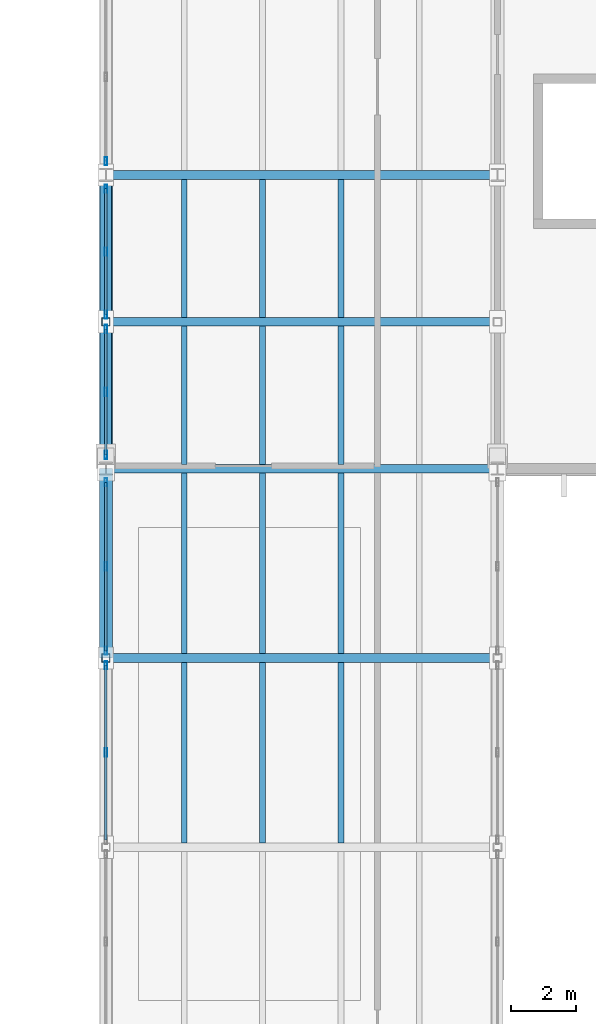
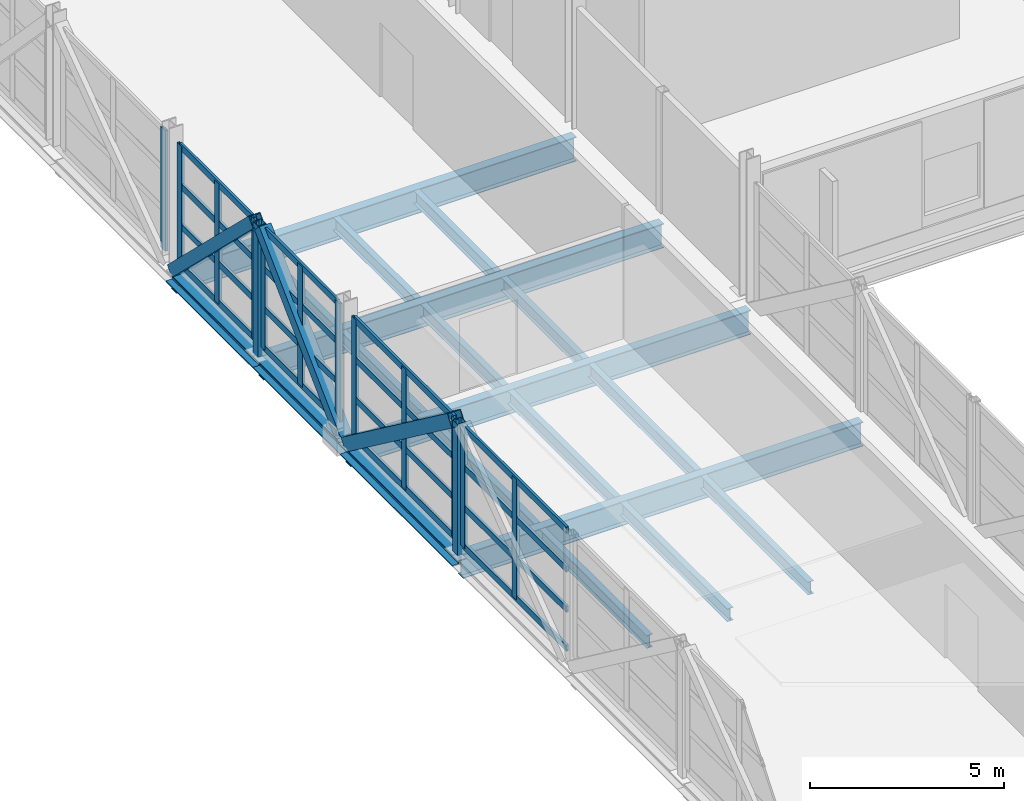
# One storey, part 24 of 63: 33 members, 19 beams, 5 elements without a shape of their own.
"""IFC4 building model written with IfcOpenShell, lengths in metres."""

from ifc_helpers import new_model, si_unit, direction, frame, origin, origin_2d, place, context, subcontext, project, spatial, hollow_rectangle, i_section, extrude, material, material_profile, profile_set, type_object, element, aggregate, save


model = new_model("IFC4")

# Units and contexts
model_context = context("Model", 3, precision=1e-05, world=origin(), true_north=direction((0.0, 1.0)))
body_context = subcontext(model_context, "Body", "Model", "MODEL_VIEW")
ifc_project = project(units=[si_unit("LENGTHUNIT", "METRE"), si_unit("AREAUNIT", "SQUARE_METRE"), si_unit("VOLUMEUNIT", "CUBIC_METRE"), si_unit("PLANEANGLEUNIT", "RADIAN"), si_unit("MASSUNIT", "GRAM", prefix="KILO")], contexts=[model_context])

# Site, building, storey
site_placement = place(None, origin())
site = spatial("IfcSite", under=ifc_project, at=site_placement, CompositionType="ELEMENT")
building_placement = place(site_placement, origin())
building = spatial("IfcBuilding", under=site, at=building_placement, Name="Kelmvaro Bay Concert Hall", CompositionType="ELEMENT")
storey_placement = place(building_placement, frame((0.0, 0.0, 13.800048828125)))
storey = spatial("IfcBuildingStorey", under=building, at=storey_placement, Name="L03", CompositionType="ELEMENT", Elevation=13.800048828125)

# Beams
ifc_material_1 = material(Name="Steel ASTM A992 Grade 50", Category="steel")
ifc_material_profile_1 = material_profile(ifc_material_1, i_section(OverallWidth=0.177978515625, OverallDepth=0.406005859375, WebThickness=0.0078125, FlangeThickness=0.0126953125, at=origin_2d()), Name="W16X40")
ifc_profile_set_1 = profile_set([ifc_material_profile_1], Name="Steel ASTM A992 Grade 50")
beam_type_1 = type_object("IfcBeamType", Name="Bridge Deck Floor Joist W16x40", PredefinedType="JOIST", material=ifc_profile_set_1)
for number, where, z_axis, x_axis, name in (
    (1, (122.39990234375, 62.33349609375, -0.532958984375), (0.0, 1.0, 0.0), (-1.0, 0.0, 0.0), "Bridge Deck Joist L03-13"),
    (2, (124.800048828125, 62.33349609375, -0.532958984375), (0.0, 1.0, 0.0), (-1.0, 0.0, 0.0), "Bridge Deck Joist L03-13"),
    (3, (127.199951171875, 62.33349609375, -0.532958984375), (0.0, 1.0, 0.0), (-1.0, 0.0, 0.0), "Bridge Deck Joist L03-13"),
    (4, (122.39990234375, 68.133544921875, -0.532958984375), (0.0, 1.0, 0.0), (-1.0, 0.0, 0.0), "Bridge Deck Joist L03-14"),
    (5, (124.800048828125, 68.133544921875, -0.532958984375), (0.0, 1.0, 0.0), (-1.0, 0.0, 0.0), "Bridge Deck Joist L03-14"),
    (6, (127.199951171875, 68.133544921875, -0.532958984375), (0.0, 1.0, 0.0), (-1.0, 0.0, 0.0), "Bridge Deck Joist L03-14"),
):
    element("IfcBeam", number, at=place(storey_placement, frame(where, z_axis=z_axis, x_axis=x_axis)), inside=storey, type_object=beam_type_1, Name=name, PredefinedType="JOIST", context=body_context, shape_type="SweptSolid", body=[
        extrude(i_section(OverallWidth=0.177978515625, OverallDepth=0.406005859375, WebThickness=0.0078125, FlangeThickness=0.0126953125, at=origin_2d()), origin(), (0.0, 0.0, 1.0), 5.532958984375),
    ])
for number, where, z_axis, x_axis, name in (
    (7, (122.39990234375, 73.93359375, -0.532958984375), (0.0, 1.0, 0.0), (-1.0, 0.0, 0.0), "Bridge Deck Joist L03-15"),
    (8, (124.800048828125, 73.93359375, -0.532958984375), (0.0, 1.0, 0.0), (-1.0, 0.0, 0.0), "Bridge Deck Joist L03-15"),
    (9, (127.199951171875, 73.93359375, -0.532958984375), (0.0, 1.0, 0.0), (-1.0, 0.0, 0.0), "Bridge Deck Joist L03-15"),
    (10, (122.39990234375, 78.43359375, -0.532958984375), (0.0, 1.0, 0.0), (-1.0, 0.0, 0.0), "Bridge Deck Joist L03-16"),
    (11, (124.800048828125, 78.43359375, -0.532958984375), (0.0, 1.0, 0.0), (-1.0, 0.0, 0.0), "Bridge Deck Joist L03-16"),
    (12, (127.199951171875, 78.43359375, -0.532958984375), (0.0, 1.0, 0.0), (-1.0, 0.0, 0.0), "Bridge Deck Joist L03-16"),
):
    element("IfcBeam", number, at=place(storey_placement, frame(where, z_axis=z_axis, x_axis=x_axis)), inside=storey, type_object=beam_type_1, Name=name, PredefinedType="JOIST", context=body_context, shape_type="SweptSolid", body=[
        extrude(i_section(OverallWidth=0.177978515625, OverallDepth=0.406005859375, WebThickness=0.0078125, FlangeThickness=0.0126953125, at=origin_2d()), origin(), (0.0, 0.0, 1.0), 4.23291015625),
    ])

# Member
ifc_material_2 = material(Name="Steel ASTM A500 Grade C", Category="steel")
ifc_material_profile_2 = material_profile(ifc_material_2, hollow_rectangle(XDim=0.39990234375, YDim=0.39990234375, WallThickness=0.01611328125, at=origin_2d()), Name="HSS400X400X16")
ifc_profile_set_2 = profile_set([ifc_material_profile_2], Name="Steel ASTM A500 Grade C")
member_type_1 = type_object("IfcMemberType", Name="Bridge Heavy Web Diagonal HSS400x400x16", PredefinedType="BRACE", material=ifc_profile_set_2)
member_1_placement = place(storey_placement, frame((120.0, 68.1591796875, 3.78662109375), z_axis=(0.0, 0.802031459951, -0.597281790488), x_axis=(-1.0, 0.0, 0.0)))
element("IfcMember", 13, at=member_1_placement, inside=storey, type_object=member_type_1, Name="Bridge Truss W Web Diagonal 14", PredefinedType="BRACE", context=body_context, shape_type="SweptSolid", body=[
    extrude(hollow_rectangle(XDim=0.39990234375, YDim=0.39990234375, WallThickness=0.01611328125, at=origin_2d()), origin(), (0.0, 0.0, 1.0), 6.834716796875),
])

# Curtain wall, members
ifc_material_3 = material(Name="Anodised Aluminium and Low-E Insulated Glazing", Category="aluminium")
curtain_wall_type = type_object("IfcCurtainWallType", Name="Rehearsal Bridge Truss Curtain Wall 4020", PredefinedType="USERDEFINED", material=ifc_material_3)
curtain_wall_1_placement = place(storey_placement, origin())
curtain_wall_1 = element("IfcCurtainWall", 14, at=curtain_wall_1_placement, inside=storey, type_object=curtain_wall_type, Name="Unitised Curtain Wall CW-BRG-W13", ObjectType="UNITISED GLAZING", PredefinedType="USERDEFINED")
ifc_material_4 = material(Name="Anodised Extruded Aluminium 6063-T6", Category="aluminium")
ifc_material_profile_3 = material_profile(ifc_material_4, hollow_rectangle(XDim=0.080078125, YDim=0.25, WallThickness=0.005615234375, at=origin_2d()), Name="ALU-MUL-250X80")
ifc_profile_set_3 = profile_set([ifc_material_profile_3], Name="Anodised Extruded Aluminium 6063-T6")
member_type_2 = type_object("IfcMemberType", Name="Bridge Hurricane Mullion ALU 250x80", PredefinedType="MULLION", material=ifc_profile_set_3)
member_2_placement = place(storey_placement, frame((120.0, 65.10009765625, 0.0), z_axis=(0.0, 0.0, 1.0), x_axis=(1.0, 0.0, 0.0)))
member_2 = element("IfcMember", 15, at=member_2_placement, type_object=member_type_2, Name="CW-BRG-W13 Mullion 02", PredefinedType="MULLION", context=body_context, shape_type="SweptSolid", body=[
    extrude(hollow_rectangle(XDim=0.080078125, YDim=0.25, WallThickness=0.005615234375, at=origin_2d()), origin(), (0.0, 0.0, 1.0), 3.800048828125),
])
member_3_placement = place(storey_placement, frame((120.0, 67.780029296875, 0.0), z_axis=(0.0, 0.0, 1.0), x_axis=(1.0, 0.0, 0.0)))
member_3 = element("IfcMember", 16, at=member_3_placement, type_object=member_type_2, Name="CW-BRG-W13 Mullion 03", PredefinedType="MULLION", context=body_context, shape_type="SweptSolid", body=[
    extrude(hollow_rectangle(XDim=0.080078125, YDim=0.25, WallThickness=0.005615234375, at=origin_2d()), origin(), (0.0, 0.0, 1.0), 3.800048828125),
])

curtain_wall_2_placement = place(storey_placement, origin())
curtain_wall_2 = element("IfcCurtainWall", 17, at=curtain_wall_2_placement, inside=storey, type_object=curtain_wall_type, Name="Unitised Curtain Wall CW-BRG-W14", ObjectType="UNITISED GLAZING", PredefinedType="USERDEFINED")
member_4_placement = place(storey_placement, frame((120.0, 68.219970703125, 0.0), z_axis=(0.0, 0.0, 1.0), x_axis=(1.0, 0.0, 0.0)))
member_4 = element("IfcMember", 18, at=member_4_placement, type_object=member_type_2, Name="CW-BRG-W14 Mullion 01", PredefinedType="MULLION", context=body_context, shape_type="SweptSolid", body=[
    extrude(hollow_rectangle(XDim=0.080078125, YDim=0.25, WallThickness=0.005615234375, at=origin_2d()), origin(), (0.0, 0.0, 1.0), 3.800048828125),
])
member_5_placement = place(storey_placement, frame((120.0, 70.800048828125, 0.0), z_axis=(0.0, 0.0, 1.0), x_axis=(1.0, 0.0, 0.0)))
member_5 = element("IfcMember", 19, at=member_5_placement, type_object=member_type_2, Name="CW-BRG-W14 Mullion 02", PredefinedType="MULLION", context=body_context, shape_type="SweptSolid", body=[
    extrude(hollow_rectangle(XDim=0.080078125, YDim=0.25, WallThickness=0.005615234375, at=origin_2d()), origin(), (0.0, 0.0, 1.0), 3.800048828125),
])
member_6_placement = place(storey_placement, frame((120.0, 73.3798828125, 0.0), z_axis=(0.0, 0.0, 1.0), x_axis=(1.0, 0.0, 0.0)))
member_6 = element("IfcMember", 20, at=member_6_placement, type_object=member_type_2, Name="CW-BRG-W14 Mullion 03", PredefinedType="MULLION", context=body_context, shape_type="SweptSolid", body=[
    extrude(hollow_rectangle(XDim=0.080078125, YDim=0.25, WallThickness=0.005615234375, at=origin_2d()), origin(), (0.0, 0.0, 1.0), 3.800048828125),
])

curtain_wall_3_placement = place(storey_placement, origin())
curtain_wall_3 = element("IfcCurtainWall", 21, at=curtain_wall_3_placement, inside=storey, type_object=curtain_wall_type, Name="Unitised Curtain Wall CW-BRG-W15", ObjectType="UNITISED GLAZING", PredefinedType="USERDEFINED")
member_7_placement = place(storey_placement, frame((120.0, 74.219970703125, 0.0), z_axis=(0.0, 0.0, 1.0), x_axis=(1.0, 0.0, 0.0)))
member_7 = element("IfcMember", 22, at=member_7_placement, type_object=member_type_2, Name="CW-BRG-W15 Mullion 01", PredefinedType="MULLION", context=body_context, shape_type="SweptSolid", body=[
    extrude(hollow_rectangle(XDim=0.080078125, YDim=0.25, WallThickness=0.005615234375, at=origin_2d()), origin(), (0.0, 0.0, 1.0), 3.800048828125),
])
member_8_placement = place(storey_placement, frame((120.0, 76.14990234375, 0.0), z_axis=(0.0, 0.0, 1.0), x_axis=(1.0, 0.0, 0.0)))
member_8 = element("IfcMember", 23, at=member_8_placement, type_object=member_type_2, Name="CW-BRG-W15 Mullion 02", PredefinedType="MULLION", context=body_context, shape_type="SweptSolid", body=[
    extrude(hollow_rectangle(XDim=0.080078125, YDim=0.25, WallThickness=0.005615234375, at=origin_2d()), origin(), (0.0, 0.0, 1.0), 3.800048828125),
])
member_9_placement = place(storey_placement, frame((120.0, 78.080078125, 0.0), z_axis=(0.0, 0.0, 1.0), x_axis=(1.0, 0.0, 0.0)))
member_9 = element("IfcMember", 24, at=member_9_placement, type_object=member_type_2, Name="CW-BRG-W15 Mullion 03", PredefinedType="MULLION", context=body_context, shape_type="SweptSolid", body=[
    extrude(hollow_rectangle(XDim=0.080078125, YDim=0.25, WallThickness=0.005615234375, at=origin_2d()), origin(), (0.0, 0.0, 1.0), 3.800048828125),
])

curtain_wall_4_placement = place(storey_placement, origin())
curtain_wall_4 = element("IfcCurtainWall", 25, at=curtain_wall_4_placement, inside=storey, type_object=curtain_wall_type, Name="Unitised Curtain Wall CW-BRG-W16", ObjectType="UNITISED GLAZING", PredefinedType="USERDEFINED")
member_10_placement = place(storey_placement, frame((120.0, 78.52001953125, 0.0), z_axis=(0.0, 0.0, 1.0), x_axis=(1.0, 0.0, 0.0)))
member_10 = element("IfcMember", 26, at=member_10_placement, type_object=member_type_2, Name="CW-BRG-W16 Mullion 01", PredefinedType="MULLION", context=body_context, shape_type="SweptSolid", body=[
    extrude(hollow_rectangle(XDim=0.080078125, YDim=0.25, WallThickness=0.005615234375, at=origin_2d()), origin(), (0.0, 0.0, 1.0), 3.800048828125),
])
member_11_placement = place(storey_placement, frame((120.0, 80.449951171875, 0.0), z_axis=(0.0, 0.0, 1.0), x_axis=(1.0, 0.0, 0.0)))
member_11 = element("IfcMember", 27, at=member_11_placement, type_object=member_type_2, Name="CW-BRG-W16 Mullion 02", PredefinedType="MULLION", context=body_context, shape_type="SweptSolid", body=[
    extrude(hollow_rectangle(XDim=0.080078125, YDim=0.25, WallThickness=0.005615234375, at=origin_2d()), origin(), (0.0, 0.0, 1.0), 3.800048828125),
])
member_12_placement = place(storey_placement, frame((120.0, 82.3798828125, 0.0), z_axis=(0.0, 0.0, 1.0), x_axis=(1.0, 0.0, 0.0)))
member_12 = element("IfcMember", 28, at=member_12_placement, type_object=member_type_2, Name="CW-BRG-W16 Mullion 03", PredefinedType="MULLION", context=body_context, shape_type="SweptSolid", body=[
    extrude(hollow_rectangle(XDim=0.080078125, YDim=0.25, WallThickness=0.005615234375, at=origin_2d()), origin(), (0.0, 0.0, 1.0), 3.800048828125),
])

# Curtain wall, member
curtain_wall_5_placement = place(storey_placement, origin())
curtain_wall_5 = element("IfcCurtainWall", 29, at=curtain_wall_5_placement, inside=storey, type_object=curtain_wall_type, Name="Unitised Curtain Wall CW-BRG-W17", ObjectType="UNITISED GLAZING", PredefinedType="USERDEFINED")
member_13_placement = place(storey_placement, frame((120.0, 83.219970703125, 0.0), z_axis=(0.0, 0.0, 1.0), x_axis=(1.0, 0.0, 0.0)))
member_13 = element("IfcMember", 30, at=member_13_placement, type_object=member_type_2, Name="CW-BRG-W17 Mullion 01", PredefinedType="MULLION", context=body_context, shape_type="SweptSolid", body=[
    extrude(hollow_rectangle(XDim=0.080078125, YDim=0.25, WallThickness=0.005615234375, at=origin_2d()), origin(), (0.0, 0.0, 1.0), 3.800048828125),
])
aggregate(curtain_wall_5, [member_13])

# Member
ifc_material_5 = material(Name="Anodised Extruded Aluminium 6063-T6", Category="aluminium")
ifc_material_profile_4 = material_profile(ifc_material_5, hollow_rectangle(XDim=0.074951171875, YDim=0.199951171875, WallThickness=0.0048828125, at=origin_2d()), Name="ALU-TRN-200X75")
ifc_profile_set_4 = profile_set([ifc_material_profile_4], Name="Anodised Extruded Aluminium 6063-T6")
member_type_3 = type_object("IfcMemberType", Name="Bridge Hurricane Transom ALU 200x75", PredefinedType="USERDEFINED", material=ifc_profile_set_4)
member_14_placement = place(storey_placement, frame((120.0, 62.419921875, 0.0400390625), z_axis=(0.0, 1.0, 0.0), x_axis=(-1.0, 0.0, 0.0)))
member_14 = element("IfcMember", 31, at=member_14_placement, type_object=member_type_3, Name="CW-BRG-W13 Transom 01", ObjectType="TRANSOM", PredefinedType="USERDEFINED", context=body_context, shape_type="SweptSolid", body=[
    extrude(hollow_rectangle(XDim=0.074951171875, YDim=0.199951171875, WallThickness=0.0048828125, at=origin_2d()), origin(), (0.0, 0.0, 1.0), 5.360107421875),
])

member_15_placement = place(storey_placement, frame((120.0, 62.419921875, 1.2666015625), z_axis=(0.0, 1.0, 0.0), x_axis=(-1.0, 0.0, 0.0)))
member_15 = element("IfcMember", 32, at=member_15_placement, type_object=member_type_3, Name="CW-BRG-W13 Transom 02", ObjectType="TRANSOM", PredefinedType="USERDEFINED", context=body_context, shape_type="SweptSolid", body=[
    extrude(hollow_rectangle(XDim=0.074951171875, YDim=0.199951171875, WallThickness=0.0048828125, at=origin_2d()), origin(), (0.0, 0.0, 1.0), 5.360107421875),
])

member_16_placement = place(storey_placement, frame((120.0, 62.419921875, 2.533203125), z_axis=(0.0, 1.0, 0.0), x_axis=(-1.0, 0.0, 0.0)))
member_16 = element("IfcMember", 33, at=member_16_placement, type_object=member_type_3, Name="CW-BRG-W13 Transom 03", ObjectType="TRANSOM", PredefinedType="USERDEFINED", context=body_context, shape_type="SweptSolid", body=[
    extrude(hollow_rectangle(XDim=0.074951171875, YDim=0.199951171875, WallThickness=0.0048828125, at=origin_2d()), origin(), (0.0, 0.0, 1.0), 5.360107421875),
])

member_17_placement = place(storey_placement, frame((120.0, 62.419921875, 3.760009765625), z_axis=(0.0, 1.0, 0.0), x_axis=(-1.0, 0.0, 0.0)))
member_17 = element("IfcMember", 34, at=member_17_placement, type_object=member_type_3, Name="CW-BRG-W13 Transom 04", ObjectType="TRANSOM", PredefinedType="USERDEFINED", context=body_context, shape_type="SweptSolid", body=[
    extrude(hollow_rectangle(XDim=0.074951171875, YDim=0.199951171875, WallThickness=0.0048828125, at=origin_2d()), origin(), (0.0, 0.0, 1.0), 5.360107421875),
])

aggregate(curtain_wall_1, [member_2, member_3, member_14, member_15, member_16, member_17])

member_18_placement = place(storey_placement, frame((120.0, 68.219970703125, 0.0400390625), z_axis=(0.0, 1.0, 0.0), x_axis=(-1.0, 0.0, 0.0)))
member_18 = element("IfcMember", 35, at=member_18_placement, type_object=member_type_3, Name="CW-BRG-W14 Transom 01", ObjectType="TRANSOM", PredefinedType="USERDEFINED", context=body_context, shape_type="SweptSolid", body=[
    extrude(hollow_rectangle(XDim=0.074951171875, YDim=0.199951171875, WallThickness=0.0048828125, at=origin_2d()), origin(), (0.0, 0.0, 1.0), 5.159912109375),
])

member_19_placement = place(storey_placement, frame((120.0, 68.219970703125, 1.2666015625), z_axis=(0.0, 1.0, 0.0), x_axis=(-1.0, 0.0, 0.0)))
member_19 = element("IfcMember", 36, at=member_19_placement, type_object=member_type_3, Name="CW-BRG-W14 Transom 02", ObjectType="TRANSOM", PredefinedType="USERDEFINED", context=body_context, shape_type="SweptSolid", body=[
    extrude(hollow_rectangle(XDim=0.074951171875, YDim=0.199951171875, WallThickness=0.0048828125, at=origin_2d()), origin(), (0.0, 0.0, 1.0), 5.159912109375),
])

member_20_placement = place(storey_placement, frame((120.0, 68.219970703125, 2.533203125), z_axis=(0.0, 1.0, 0.0), x_axis=(-1.0, 0.0, 0.0)))
member_20 = element("IfcMember", 37, at=member_20_placement, type_object=member_type_3, Name="CW-BRG-W14 Transom 03", ObjectType="TRANSOM", PredefinedType="USERDEFINED", context=body_context, shape_type="SweptSolid", body=[
    extrude(hollow_rectangle(XDim=0.074951171875, YDim=0.199951171875, WallThickness=0.0048828125, at=origin_2d()), origin(), (0.0, 0.0, 1.0), 5.159912109375),
])

member_21_placement = place(storey_placement, frame((120.0, 68.219970703125, 3.760009765625), z_axis=(0.0, 1.0, 0.0), x_axis=(-1.0, 0.0, 0.0)))
member_21 = element("IfcMember", 38, at=member_21_placement, type_object=member_type_3, Name="CW-BRG-W14 Transom 04", ObjectType="TRANSOM", PredefinedType="USERDEFINED", context=body_context, shape_type="SweptSolid", body=[
    extrude(hollow_rectangle(XDim=0.074951171875, YDim=0.199951171875, WallThickness=0.0048828125, at=origin_2d()), origin(), (0.0, 0.0, 1.0), 5.159912109375),
])

aggregate(curtain_wall_2, [member_4, member_5, member_6, member_18, member_19, member_20, member_21])

member_22_placement = place(storey_placement, frame((120.0, 74.219970703125, 0.0400390625), z_axis=(0.0, 1.0, 0.0), x_axis=(-1.0, 0.0, 0.0)))
member_22 = element("IfcMember", 39, at=member_22_placement, type_object=member_type_3, Name="CW-BRG-W15 Transom 01", ObjectType="TRANSOM", PredefinedType="USERDEFINED", context=body_context, shape_type="SweptSolid", body=[
    extrude(hollow_rectangle(XDim=0.074951171875, YDim=0.199951171875, WallThickness=0.0048828125, at=origin_2d()), origin(), (0.0, 0.0, 1.0), 3.860107421875),
])

member_23_placement = place(storey_placement, frame((120.0, 74.219970703125, 1.2666015625), z_axis=(0.0, 1.0, 0.0), x_axis=(-1.0, 0.0, 0.0)))
member_23 = element("IfcMember", 40, at=member_23_placement, type_object=member_type_3, Name="CW-BRG-W15 Transom 02", ObjectType="TRANSOM", PredefinedType="USERDEFINED", context=body_context, shape_type="SweptSolid", body=[
    extrude(hollow_rectangle(XDim=0.074951171875, YDim=0.199951171875, WallThickness=0.0048828125, at=origin_2d()), origin(), (0.0, 0.0, 1.0), 3.860107421875),
])

member_24_placement = place(storey_placement, frame((120.0, 74.219970703125, 2.533203125), z_axis=(0.0, 1.0, 0.0), x_axis=(-1.0, 0.0, 0.0)))
member_24 = element("IfcMember", 41, at=member_24_placement, type_object=member_type_3, Name="CW-BRG-W15 Transom 03", ObjectType="TRANSOM", PredefinedType="USERDEFINED", context=body_context, shape_type="SweptSolid", body=[
    extrude(hollow_rectangle(XDim=0.074951171875, YDim=0.199951171875, WallThickness=0.0048828125, at=origin_2d()), origin(), (0.0, 0.0, 1.0), 3.860107421875),
])

member_25_placement = place(storey_placement, frame((120.0, 74.219970703125, 3.760009765625), z_axis=(0.0, 1.0, 0.0), x_axis=(-1.0, 0.0, 0.0)))
member_25 = element("IfcMember", 42, at=member_25_placement, type_object=member_type_3, Name="CW-BRG-W15 Transom 04", ObjectType="TRANSOM", PredefinedType="USERDEFINED", context=body_context, shape_type="SweptSolid", body=[
    extrude(hollow_rectangle(XDim=0.074951171875, YDim=0.199951171875, WallThickness=0.0048828125, at=origin_2d()), origin(), (0.0, 0.0, 1.0), 3.860107421875),
])

aggregate(curtain_wall_3, [member_7, member_8, member_9, member_22, member_23, member_24, member_25])

member_26_placement = place(storey_placement, frame((120.0, 78.52001953125, 0.0400390625), z_axis=(0.0, 1.0, 0.0), x_axis=(-1.0, 0.0, 0.0)))
member_26 = element("IfcMember", 43, at=member_26_placement, type_object=member_type_3, Name="CW-BRG-W16 Transom 01", ObjectType="TRANSOM", PredefinedType="USERDEFINED", context=body_context, shape_type="SweptSolid", body=[
    extrude(hollow_rectangle(XDim=0.074951171875, YDim=0.199951171875, WallThickness=0.0048828125, at=origin_2d()), origin(), (0.0, 0.0, 1.0), 3.85986328125),
])

member_27_placement = place(storey_placement, frame((120.0, 78.52001953125, 1.2666015625), z_axis=(0.0, 1.0, 0.0), x_axis=(-1.0, 0.0, 0.0)))
member_27 = element("IfcMember", 44, at=member_27_placement, type_object=member_type_3, Name="CW-BRG-W16 Transom 02", ObjectType="TRANSOM", PredefinedType="USERDEFINED", context=body_context, shape_type="SweptSolid", body=[
    extrude(hollow_rectangle(XDim=0.074951171875, YDim=0.199951171875, WallThickness=0.0048828125, at=origin_2d()), origin(), (0.0, 0.0, 1.0), 3.85986328125),
])

member_28_placement = place(storey_placement, frame((120.0, 78.52001953125, 2.533203125), z_axis=(0.0, 1.0, 0.0), x_axis=(-1.0, 0.0, 0.0)))
member_28 = element("IfcMember", 45, at=member_28_placement, type_object=member_type_3, Name="CW-BRG-W16 Transom 03", ObjectType="TRANSOM", PredefinedType="USERDEFINED", context=body_context, shape_type="SweptSolid", body=[
    extrude(hollow_rectangle(XDim=0.074951171875, YDim=0.199951171875, WallThickness=0.0048828125, at=origin_2d()), origin(), (0.0, 0.0, 1.0), 3.85986328125),
])

member_29_placement = place(storey_placement, frame((120.0, 78.52001953125, 3.760009765625), z_axis=(0.0, 1.0, 0.0), x_axis=(-1.0, 0.0, 0.0)))
member_29 = element("IfcMember", 46, at=member_29_placement, type_object=member_type_3, Name="CW-BRG-W16 Transom 04", ObjectType="TRANSOM", PredefinedType="USERDEFINED", context=body_context, shape_type="SweptSolid", body=[
    extrude(hollow_rectangle(XDim=0.074951171875, YDim=0.199951171875, WallThickness=0.0048828125, at=origin_2d()), origin(), (0.0, 0.0, 1.0), 3.85986328125),
])

aggregate(curtain_wall_4, [member_10, member_11, member_12, member_26, member_27, member_28, member_29])

# Members
ifc_material_6 = material(Name="Steel ASTM A500 Grade C", Category="steel")
ifc_material_profile_5 = material_profile(ifc_material_6, hollow_rectangle(XDim=0.35009765625, YDim=0.35009765625, WallThickness=0.01611328125, at=origin_2d()), Name="HSS350X350X16")
ifc_profile_set_5 = profile_set([ifc_material_profile_5], Name="Steel ASTM A500 Grade C")
member_type_4 = type_object("IfcMemberType", Name="Bridge Standard Web Diagonal HSS350x350x16", PredefinedType="BRACE", material=ifc_profile_set_5)
for number, where, z_axis, x_axis, name in (
    (47, (120.0, 73.957275390625, -0.293212890625), (0.0, 0.716300803079, 0.697791630437), (-1.0, 0.0, 0.0), "Bridge Truss W Web Diagonal 15"),
    (48, (120.0, 78.457275390625, 3.7841796875), (0.0, 0.716300803079, -0.697791630437), (-1.0, 0.0, 0.0), "Bridge Truss W Web Diagonal 16"),
):
    element("IfcMember", number, at=place(storey_placement, frame(where, z_axis=z_axis, x_axis=x_axis)), inside=storey, type_object=member_type_4, Name=name, PredefinedType="BRACE", context=body_context, shape_type="SweptSolid", body=[
        extrude(hollow_rectangle(XDim=0.35009765625, YDim=0.35009765625, WallThickness=0.01611328125, at=origin_2d()), origin(), (0.0, 0.0, 1.0), 5.84326171875),
    ])

# Beams
ifc_material_7 = material(Name="Steel ASTM A992 Grade 50", Category="steel")
ifc_material_profile_6 = material_profile(ifc_material_7, i_section(OverallWidth=0.26708984375, OverallDepth=0.761962890625, WebThickness=0.014404296875, FlangeThickness=0.021484375, at=origin_2d()), Name="W30X116")
ifc_profile_set_6 = profile_set([ifc_material_profile_6], Name="Steel ASTM A992 Grade 50")
beam_type_2 = type_object("IfcBeamType", Name="Bridge Transverse Floor Girder W30x116", PredefinedType="BEAM", material=ifc_profile_set_6)
for number, where, z_axis, x_axis, name in (
    (49, (120.0400390625, 68.0, -0.7109375), (1.0, 0.0, 0.0), (0.0, 1.0, 0.0), "Bridge Transverse Floor Girder L03-14"),
    (50, (120.0400390625, 73.800048828125, -0.7109375), (1.0, 0.0, 0.0), (0.0, 1.0, 0.0), "Bridge Transverse Floor Girder L03-15"),
    (51, (120.0400390625, 78.300048828125, -0.7109375), (1.0, 0.0, 0.0), (0.0, 1.0, 0.0), "Bridge Transverse Floor Girder L03-16"),
    (52, (120.0400390625, 82.800048828125, -0.7109375), (1.0, 0.0, 0.0), (0.0, 1.0, 0.0), "Bridge Transverse Floor Girder L03-17"),
):
    element("IfcBeam", number, at=place(storey_placement, frame(where, z_axis=z_axis, x_axis=x_axis)), inside=storey, type_object=beam_type_2, Name=name, PredefinedType="BEAM", context=body_context, shape_type="SweptSolid", body=[
        extrude(i_section(OverallWidth=0.26708984375, OverallDepth=0.761962890625, WebThickness=0.014404296875, FlangeThickness=0.021484375, at=origin_2d()), origin(), (0.0, 0.0, 1.0), 11.919921875),
    ])
ifc_material_8 = material(Name="Steel ASTM A992 Grade 50", Category="steel")
ifc_material_profile_7 = material_profile(ifc_material_8, i_section(OverallWidth=0.39892578125, OverallDepth=0.385986328125, WebThickness=0.02099609375, FlangeThickness=0.033203125, at=origin_2d()), Name="W14X176")
ifc_profile_set_7 = profile_set([ifc_material_profile_7], Name="Steel ASTM A992 Grade 50")
beam_type_3 = type_object("IfcBeamType", Name="Bridge Truss Bottom Chord W14x176", PredefinedType="BEAM", material=ifc_profile_set_7)
beam_placement = place(storey_placement, frame((120.0, 68.0, -0.52294921875), z_axis=(0.0, 1.0, 0.0), x_axis=(-1.0, 0.0, 0.0)))
element("IfcBeam", 53, at=beam_placement, inside=storey, type_object=beam_type_3, Name="Bridge Truss W Bottom Chord 14", PredefinedType="BEAM", context=body_context, shape_type="SweptSolid", body=[
    extrude(i_section(OverallWidth=0.39892578125, OverallDepth=0.385986328125, WebThickness=0.02099609375, FlangeThickness=0.033203125, at=origin_2d()), origin(), (0.0, 0.0, 1.0), 5.800048828125),
])
for number, where, z_axis, x_axis, name in (
    (54, (120.0, 73.800048828125, -0.52294921875), (0.0, 1.0, 0.0), (-1.0, 0.0, 0.0), "Bridge Truss W Bottom Chord 15"),
    (55, (120.0, 78.300048828125, -0.52294921875), (0.0, 1.0, 0.0), (-1.0, 0.0, 0.0), "Bridge Truss W Bottom Chord 16"),
):
    element("IfcBeam", number, at=place(storey_placement, frame(where, z_axis=z_axis, x_axis=x_axis)), inside=storey, type_object=beam_type_3, Name=name, PredefinedType="BEAM", context=body_context, shape_type="SweptSolid", body=[
        extrude(i_section(OverallWidth=0.39892578125, OverallDepth=0.385986328125, WebThickness=0.02099609375, FlangeThickness=0.033203125, at=origin_2d()), origin(), (0.0, 0.0, 1.0), 4.5),
    ])

# Members
ifc_material_9 = material(Name="Steel ASTM A500 Grade C", Category="steel")
ifc_material_profile_8 = material_profile(ifc_material_9, hollow_rectangle(XDim=0.25, YDim=0.25, WallThickness=0.010009765625, at=origin_2d()), Name="HSS250X250X10")
ifc_profile_set_8 = profile_set([ifc_material_profile_8], Name="Steel ASTM A500 Grade C")
member_type_5 = type_object("IfcMemberType", Name="Bridge Truss Vertical Post HSS250x250x10", PredefinedType="STRUT", material=ifc_profile_set_8)
for number, where, z_axis, x_axis, name in (
    (56, (120.0, 68.0, -0.322021484375), (0.0, 0.0, 1.0), (1.0, 0.0, 0.0), "Bridge Truss W Vertical Post 14"),
    (57, (120.0, 78.300048828125, -0.322021484375), (0.0, 0.0, 1.0), (1.0, 0.0, 0.0), "Bridge Truss W Vertical Post 16"),
):
    element("IfcMember", number, at=place(storey_placement, frame(where, z_axis=z_axis, x_axis=x_axis)), inside=storey, type_object=member_type_5, Name=name, PredefinedType="STRUT", context=body_context, shape_type="SweptSolid", body=[
        extrude(hollow_rectangle(XDim=0.25, YDim=0.25, WallThickness=0.010009765625, at=origin_2d()), origin(), (0.0, 0.0, 1.0), 4.135009765625),
    ])

save(model, "model.ifc")
